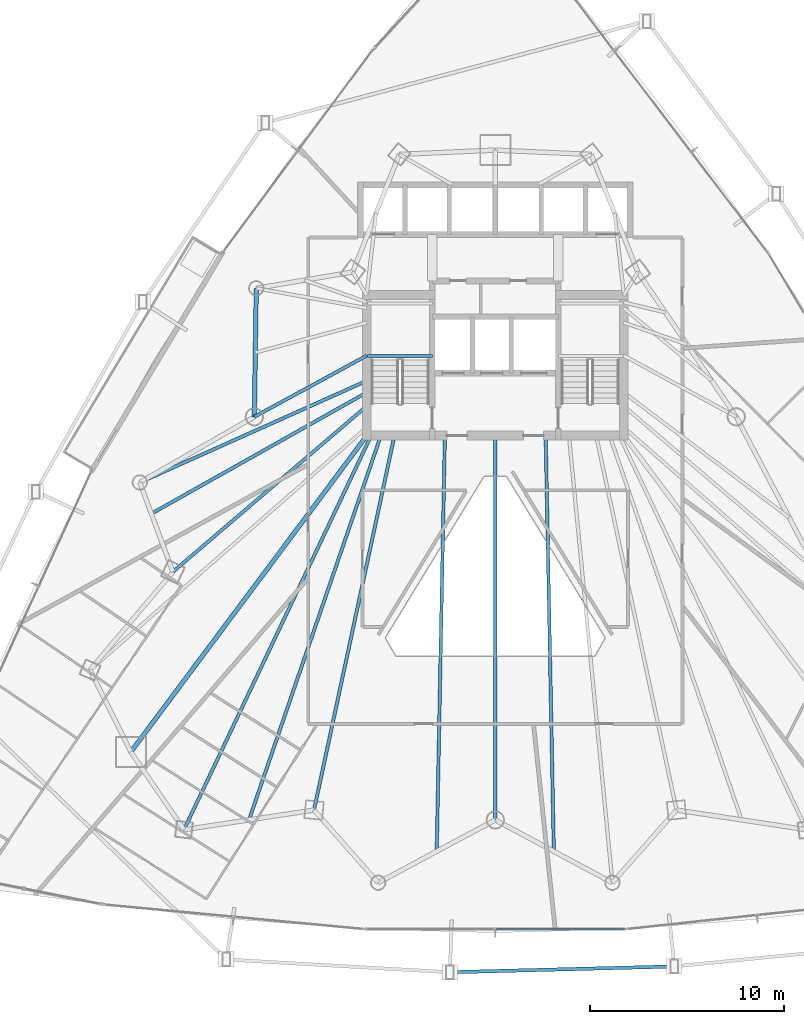
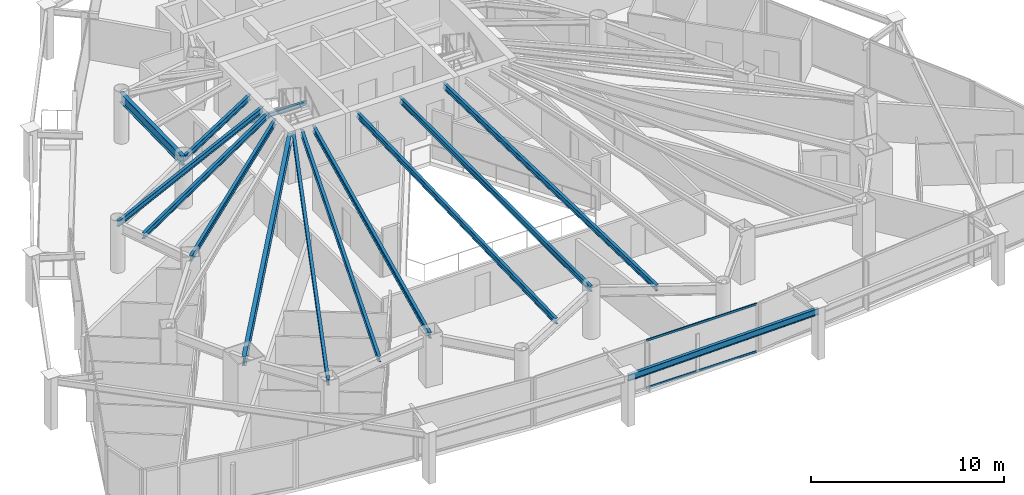
# One storey, part 12 of 35: 14 beams, 2 members, 1 element without a shape of its own.
"""IFC4 building model written with IfcOpenShell, lengths in metres."""

from ifc_helpers import new_model, si_unit, direction, frame, origin, origin_2d, place, context, subcontext, project, spatial, hollow_rectangle, i_section, extrude, material, layer, layer_set, material_profile, profile_set, type_object, element, aggregate, save


model = new_model("IFC4")

# Units and contexts
model_context = context("Model", 3, precision=1e-05, world=origin(), true_north=direction((0.0, 1.0)))
body_context = subcontext(model_context, "Body", "Model", "MODEL_VIEW")
ifc_project = project(units=[si_unit("LENGTHUNIT", "METRE"), si_unit("AREAUNIT", "SQUARE_METRE"), si_unit("VOLUMEUNIT", "CUBIC_METRE"), si_unit("PLANEANGLEUNIT", "RADIAN"), si_unit("MASSUNIT", "GRAM", prefix="KILO")], contexts=[model_context])

# Site, building, storey
site_placement = place(None, origin())
site = spatial("IfcSite", under=ifc_project, at=site_placement, CompositionType="ELEMENT")
building_placement = place(site_placement, origin())
building = spatial("IfcBuilding", under=site, at=building_placement, Name="Orvanel Arch Residences", CompositionType="ELEMENT")
storey_placement = place(building_placement, frame((0.0, 0.0, 30.199951171875)))
storey = spatial("IfcBuildingStorey", under=building, at=storey_placement, Name="L07", CompositionType="ELEMENT", Elevation=30.199951171875)

# Beams
ifc_material_1 = material(Name="Structural steel AS/NZS 3679.1 Grade 300 (300 MPa)", Category="steel")
ifc_material_profile_1 = material_profile(ifc_material_1, i_section(OverallWidth=0.22900390625, OverallDepth=0.612060546875, WebThickness=0.011962890625, FlangeThickness=0.01953125, at=origin_2d()), Name="610UB125")
ifc_profile_set_1 = profile_set([ifc_material_profile_1], Name="Structural steel AS/NZS 3679.1 Grade 300 (300 MPa)")
beam_type_1 = type_object("IfcBeamType", Name="BG-610UB", PredefinedType="BEAM", material=ifc_profile_set_1)
beam_1_placement = place(storey_placement, frame((26.375, 26.675048828125, 2.754150390625), z_axis=(-0.597893733742, -0.801575375839, 0.0), x_axis=(0.801575375839, -0.597893733742, 0.0)))
element("IfcBeam", 1, at=beam_1_placement, inside=storey, type_object=beam_type_1, Name="L07 South-West Radial Girder", PredefinedType="BEAM", context=body_context, shape_type="SweptSolid", body=[
    extrude(i_section(OverallWidth=0.22900390625, OverallDepth=0.612060546875, WebThickness=0.011962890625, FlangeThickness=0.01953125, at=origin_2d()), origin(), (0.0, 0.0, 1.0), 20.36474609375),
])
ifc_material_profile_2 = material_profile(ifc_material_1, i_section(OverallWidth=0.14599609375, OverallDepth=0.251953125, WebThickness=0.006103515625, FlangeThickness=0.008544921875, at=origin_2d()), Name="250UB31.4")
ifc_profile_set_2 = profile_set([ifc_material_profile_2], Name="Structural steel AS/NZS 3679.1 Grade 300 (300 MPa)")
beam_type_2 = type_object("IfcBeamType", Name="BJ-250UB", PredefinedType="JOIST", material=ifc_profile_set_2)
beam_2_placement = place(storey_placement, frame((26.39990234375, 30.780029296875, 1.323974609375), z_axis=(1.0, 0.0, 0.0), x_axis=(0.0, 1.0, 0.0)))
element("IfcBeam", 2, at=beam_2_placement, inside=storey, type_object=beam_type_2, Name="L07 ST-1 Half-Landing Support Beam 1.1", PredefinedType="JOIST", context=body_context, shape_type="SweptSolid", body=[
    extrude(i_section(OverallWidth=0.14599609375, OverallDepth=0.251953125, WebThickness=0.006103515625, FlangeThickness=0.008544921875, at=origin_2d()), origin(), (0.0, 0.0, 1.0), 3.35009765625),
])
ifc_material_profile_3 = material_profile(ifc_material_1, i_section(OverallWidth=0.1708984375, OverallDepth=0.35595703125, WebThickness=0.00732421875, FlangeThickness=0.011474609375, at=origin_2d()), Name="360UB50.7")
ifc_profile_set_3 = profile_set([ifc_material_profile_3], Name="Structural steel AS/NZS 3679.1 Grade 300 (300 MPa)")
beam_type_3 = type_object("IfcBeamType", Name="BJ-360UB", PredefinedType="JOIST", material=ifc_profile_set_3)
beam_3_placement = place(storey_placement, frame((26.375, 30.800048828125, 2.882080078125), z_axis=(-0.878399029914, -0.477927969726, 0.0), x_axis=(0.477927969726, -0.878399029914, 0.0)))
element("IfcBeam", 3, at=beam_3_placement, inside=storey, type_object=beam_type_3, Name="L07 NW Wing Floor Joist", PredefinedType="JOIST", context=body_context, shape_type="SweptSolid", body=[
    extrude(i_section(OverallWidth=0.1708984375, OverallDepth=0.35595703125, WebThickness=0.00732421875, FlangeThickness=0.011474609375, at=origin_2d()), origin(), (0.0, 0.0, 1.0), 6.609619140625),
])
beam_4_placement = place(storey_placement, frame((26.375, 28.199951171875, 2.882080078125), z_axis=(-0.760024297953, -0.649894658018, 0.0), x_axis=(0.649894658018, -0.760024297953, 0.0)))
element("IfcBeam", 4, at=beam_4_placement, inside=storey, type_object=beam_type_3, Name="L07 W Wing Floor Joist", PredefinedType="JOIST", context=body_context, shape_type="SweptSolid", body=[
    extrude(i_section(OverallWidth=0.1708984375, OverallDepth=0.35595703125, WebThickness=0.00732421875, FlangeThickness=0.011474609375, at=origin_2d()), origin(), (0.0, 0.0, 1.0), 13.16796875),
])
beam_5_placement = place(storey_placement, frame((27.800048828125, 26.675048828125, 2.882080078125), z_axis=(-0.210066515515, -0.977687096703, 0.0), x_axis=(0.977687096703, -0.210066515515, 0.0)))
element("IfcBeam", 5, at=beam_5_placement, inside=storey, type_object=beam_type_3, Name="L07 SW Wing Floor Joist", PredefinedType="JOIST", context=body_context, shape_type="SweptSolid", body=[
    extrude(i_section(OverallWidth=0.1708984375, OverallDepth=0.35595703125, WebThickness=0.00732421875, FlangeThickness=0.011474609375, at=origin_2d()), origin(), (0.0, 0.0, 1.0), 19.760986328125),
])
beam_6_placement = place(storey_placement, frame((33.0, 26.675048828125, 2.882080078125), z_axis=(0.0, -1.0, 0.0), x_axis=(1.0, 0.0, 0.0)))
element("IfcBeam", 6, at=beam_6_placement, inside=storey, type_object=beam_type_3, Name="L07 SSW Wing Floor Joist", PredefinedType="JOIST", context=body_context, shape_type="SweptSolid", body=[
    extrude(i_section(OverallWidth=0.1708984375, OverallDepth=0.35595703125, WebThickness=0.00732421875, FlangeThickness=0.011474609375, at=origin_2d()), origin(), (0.0, 0.0, 1.0), 19.8310546875),
])
for number, where, z_axis, x_axis, name in (
    (7, (30.39990234375, 26.675048828125, 2.882080078125), (-0.019617680075, -0.999807554797, 0.0), (0.999807554797, -0.019617680075, 0.0), "L07 WSW2 Wing Floor Joist"),
    (8, (35.60009765625, 26.675048828125, 2.882080078125), (0.019617680075, -0.999807554797, 0.0), (0.999807554797, 0.019617680075, 0.0), "L07 ESE2 Wing Floor Joist"),
):
    element("IfcBeam", number, at=place(storey_placement, frame(where, z_axis=z_axis, x_axis=x_axis)), inside=storey, type_object=beam_type_3, Name=name, PredefinedType="JOIST", context=body_context, shape_type="SweptSolid", body=[
        extrude(i_section(OverallWidth=0.1708984375, OverallDepth=0.35595703125, WebThickness=0.00732421875, FlangeThickness=0.011474609375, at=origin_2d()), origin(), (0.0, 0.0, 1.0), 21.455078125),
    ])
beam_7_placement = place(storey_placement, frame((26.60009765625, 26.675048828125, 2.882080078125), z_axis=(-0.429042657795, -0.903284228686, 0.0), x_axis=(0.903284228686, -0.429042657795, 0.0)))
element("IfcBeam", 9, at=beam_7_placement, inside=storey, type_object=beam_type_3, Name="L07 MSW Wing Floor Joist", PredefinedType="JOIST", context=body_context, shape_type="SweptSolid", body=[
    extrude(i_section(OverallWidth=0.1708984375, OverallDepth=0.35595703125, WebThickness=0.00732421875, FlangeThickness=0.011474609375, at=origin_2d()), origin(), (0.0, 0.0, 1.0), 22.513427734375),
])
beam_8_placement = place(storey_placement, frame((26.375, 29.5, 2.882080078125), z_axis=(-0.912704378681, -0.408620505038, 0.0), x_axis=(0.408620505038, -0.912704378681, 0.0)))
element("IfcBeam", 10, at=beam_8_placement, inside=storey, type_object=beam_type_3, Name="L07 LSW Wing Floor Joist", PredefinedType="JOIST", context=body_context, shape_type="SweptSolid", body=[
    extrude(i_section(OverallWidth=0.1708984375, OverallDepth=0.35595703125, WebThickness=0.00732421875, FlangeThickness=0.011474609375, at=origin_2d()), origin(), (0.0, 0.0, 1.0), 12.833251953125),
])
beam_9_placement = place(storey_placement, frame((26.375, 28.89990234375, 2.882080078125), z_axis=(-0.871372554181, -0.490621923502, 0.0), x_axis=(0.490621923502, -0.871372554181, 0.0)))
element("IfcBeam", 11, at=beam_9_placement, inside=storey, type_object=beam_type_3, Name="L07 CTW Wing Floor Joist", PredefinedType="JOIST", context=body_context, shape_type="SweptSolid", body=[
    extrude(i_section(OverallWidth=0.1708984375, OverallDepth=0.35595703125, WebThickness=0.00732421875, FlangeThickness=0.011474609375, at=origin_2d()), origin(), (0.0, 0.0, 1.0), 12.7568359375),
])
beam_10_placement = place(storey_placement, frame((27.10009765625, 26.675048828125, 2.882080078125), z_axis=(-0.324621456495, -0.945844019901, 0.0), x_axis=(0.945844019901, -0.324621456495, 0.0)))
element("IfcBeam", 12, at=beam_10_placement, inside=storey, type_object=beam_type_3, Name="L07 JADD1 Wing Floor Joist", PredefinedType="JOIST", context=body_context, shape_type="SweptSolid", body=[
    extrude(i_section(OverallWidth=0.1708984375, OverallDepth=0.35595703125, WebThickness=0.00732421875, FlangeThickness=0.011474609375, at=origin_2d()), origin(), (0.0, 0.0, 1.0), 20.96337890625),
])
ifc_material_profile_4 = material_profile(ifc_material_1, i_section(OverallWidth=0.177978515625, OverallDepth=0.406005859375, WebThickness=0.0078125, FlangeThickness=0.0126953125, at=origin_2d()), Name="410UB59.7")
ifc_profile_set_4 = profile_set([ifc_material_profile_4], Name="Structural steel AS/NZS 3679.1 Grade 300 (300 MPa)")
beam_type_4 = type_object("IfcBeamType", Name="OB-410UB-EXT", PredefinedType="SPANDREL", material=ifc_profile_set_4)
beam_11_placement = place(storey_placement, frame((30.658935546875, -1.013916015625, 2.85693359375), z_axis=(0.999665030236, 0.025881022456, 0.0), x_axis=(-0.025881022456, 0.999665030236, 0.0)))
element("IfcBeam", 13, at=beam_11_placement, inside=storey, type_object=beam_type_4, Name="L07 Outer Perimeter Floor Ring Beam 06", PredefinedType="SPANDREL", context=body_context, shape_type="SweptSolid", body=[
    extrude(i_section(OverallWidth=0.177978515625, OverallDepth=0.406005859375, WebThickness=0.0078125, FlangeThickness=0.0126953125, at=origin_2d()), origin(), (0.0, 0.0, 1.0), 11.583984375),
])
ifc_material_profile_5 = material_profile(ifc_material_1, i_section(OverallWidth=0.22900390625, OverallDepth=0.612060546875, WebThickness=0.011962890625, FlangeThickness=0.01953125, at=origin_2d()), Name="610UB125")
ifc_profile_set_5 = profile_set([ifc_material_profile_5], Name="Structural steel AS/NZS 3679.1 Grade 300 (300 MPa)")
beam_type_5 = type_object("IfcBeamType", Name="SP-610UB", PredefinedType="SPANDREL", material=ifc_profile_set_5)
beam_12_placement = place(storey_placement, frame((20.669921875, 34.27099609375, 2.754150390625), z_axis=(-0.015206666874, -0.999884371956, 0.0), x_axis=(0.999884371956, -0.015206666874, 0.0)))
element("IfcBeam", 14, at=beam_12_placement, inside=storey, type_object=beam_type_5, Name="L07 Perimeter Spandrel Beam 20", PredefinedType="SPANDREL", context=body_context, shape_type="SweptSolid", body=[
    extrude(i_section(OverallWidth=0.22900390625, OverallDepth=0.612060546875, WebThickness=0.011962890625, FlangeThickness=0.01953125, at=origin_2d()), origin(), (0.0, 0.0, 1.0), 6.630615234375),
])

# Curtain wall, members
ifc_material_2 = material(Name="Bronze-anodised aluminium AA6063-T6", Category="aluminium")
ifc_layer = layer(ifc_material_2, 0.179931640625)
ifc_layer_set = layer_set([ifc_layer], Name="Bronze-anodised aluminium AA6063-T6")
curtain_wall_type = type_object("IfcCurtainWallType", Name="CW2-LOW-SYS", PredefinedType="NOTDEFINED", material=ifc_layer_set)
curtain_wall_placement = place(storey_placement, origin())
curtain_wall = element("IfcCurtainWall", 15, at=curtain_wall_placement, inside=storey, type_object=curtain_wall_type, Name="L07 CW2-LOW-SYS Unitised Curtain Wall", PredefinedType="NOTDEFINED")
ifc_material_profile_6 = material_profile(ifc_material_2, hollow_rectangle(XDim=0.06005859375, YDim=0.135009765625, WallThickness=0.00390625, at=origin_2d()), Name="ALU135x60x4")
ifc_profile_set_6 = profile_set([ifc_material_profile_6], Name="Bronze-anodised aluminium AA6063-T6")
member_type = type_object("IfcMemberType", Name="TRN-135x60", PredefinedType="USERDEFINED", material=ifc_profile_set_6)
member_1_placement = place(storey_placement, frame((33.034912109375, 1.2041015625, 0.030029296875), z_axis=(1.0, 0.0, 0.0), x_axis=(0.0, 1.0, 0.0)))
member_1 = element("IfcMember", 16, at=member_1_placement, type_object=member_type, Name="CW-S2 transom 2.1", ObjectType="TRANSOM", PredefinedType="USERDEFINED", context=body_context, shape_type="SweptSolid", body=[
    extrude(hollow_rectangle(XDim=0.06005859375, YDim=0.135009765625, WallThickness=0.00390625, at=origin_2d()), origin(), (0.0, 0.0, 1.0), 6.619140625),
])
member_2_placement = place(storey_placement, frame((33.034912109375, 1.2041015625, 3.030029296875), z_axis=(1.0, 0.0, 0.0), x_axis=(0.0, 1.0, 0.0)))
member_2 = element("IfcMember", 17, at=member_2_placement, type_object=member_type, Name="CW-S2 transom 2.2", ObjectType="TRANSOM", PredefinedType="USERDEFINED", context=body_context, shape_type="SweptSolid", body=[
    extrude(hollow_rectangle(XDim=0.06005859375, YDim=0.135009765625, WallThickness=0.00390625, at=origin_2d()), origin(), (0.0, 0.0, 1.0), 6.619140625),
])
aggregate(curtain_wall, [member_1, member_2])

save(model, "model.ifc")
